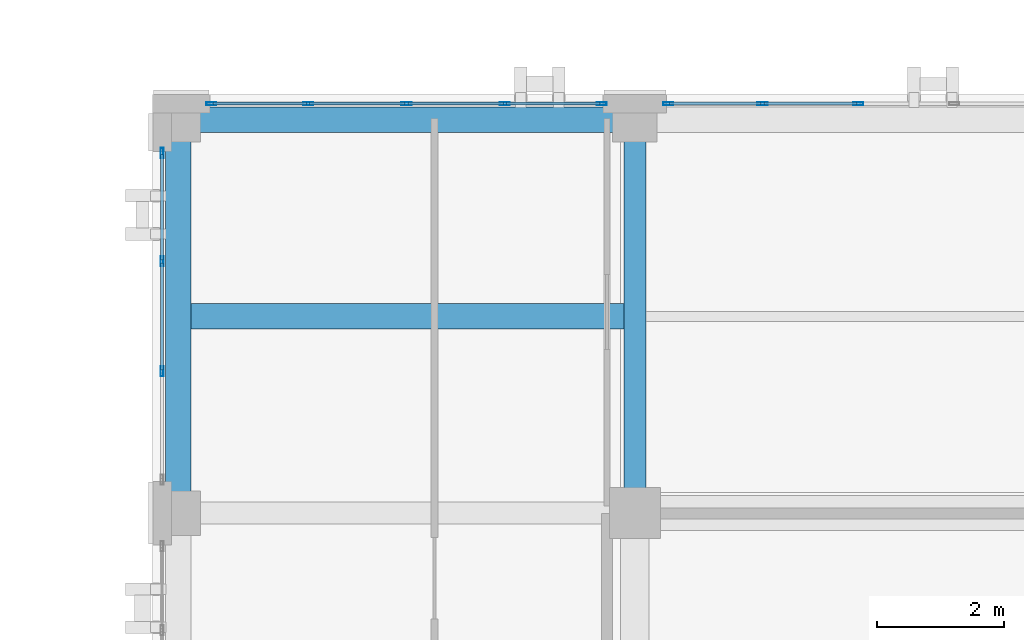
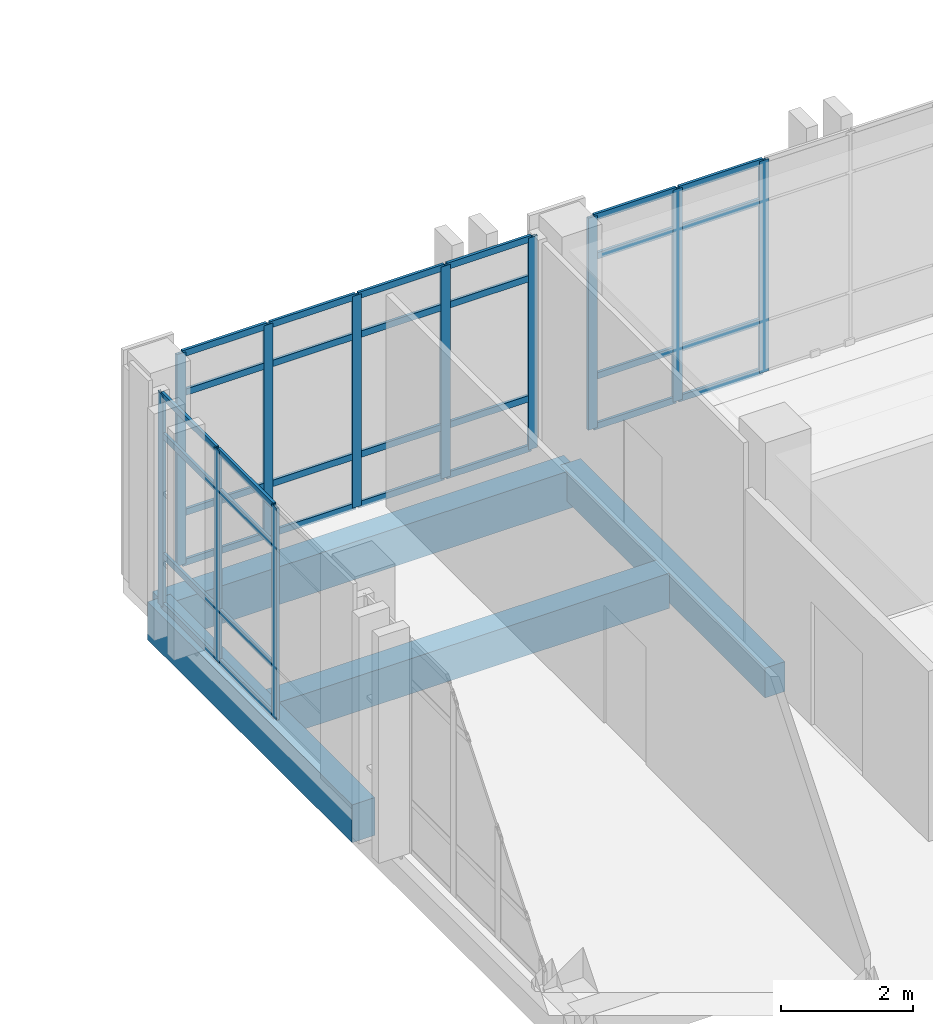
# One storey, part 101 of 165: 43 members, 4 beams, 3 elements without a shape of their own.
"""IFC4 building model written with IfcOpenShell, lengths in metres."""

from ifc_helpers import new_model, si_unit, direction, frame, origin, origin_2d, place, context, subcontext, project, spatial, rectangle, hollow_rectangle, extrude, material, layer, layer_set, material_profile, profile_set, type_object, element, aggregate, save


model = new_model("IFC4")

# Units and contexts
model_context = context("Model", 3, precision=1e-05, world=origin(), true_north=direction((0.0, 1.0)))
body_context = subcontext(model_context, "Body", "Model", "MODEL_VIEW")
ifc_project = project(units=[si_unit("LENGTHUNIT", "METRE"), si_unit("AREAUNIT", "SQUARE_METRE"), si_unit("VOLUMEUNIT", "CUBIC_METRE"), si_unit("PLANEANGLEUNIT", "RADIAN"), si_unit("MASSUNIT", "GRAM", prefix="KILO")], contexts=[model_context])

# Site, building, storey
site_placement = place(None, origin())
site = spatial("IfcSite", under=ifc_project, at=site_placement, CompositionType="ELEMENT")
building_placement = place(site_placement, origin())
building = spatial("IfcBuilding", under=site, at=building_placement, Name="Qalavern Law Courts", CompositionType="ELEMENT")
storey_placement = place(building_placement, frame((0.0, 0.0, 14.39990234375)))
storey = spatial("IfcBuildingStorey", under=building, at=storey_placement, Name="L03", CompositionType="ELEMENT", Elevation=14.39990234375)

# Curtain wall, members
ifc_material_1 = material(Name="Anodised aluminium and insulated glazing", Category="aluminium")
ifc_layer = layer(ifc_material_1, 0.172119140625)
ifc_layer_set = layer_set([ifc_layer], Name="Anodised aluminium and insulated glazing")
curtain_wall_type = type_object("IfcCurtainWallType", Name="ENV-CW-COURT", PredefinedType="USERDEFINED", material=ifc_layer_set)
curtain_wall_1_placement = place(storey_placement, origin())
curtain_wall_1 = element("IfcCurtainWall", 1, at=curtain_wall_1_placement, inside=storey, type_object=curtain_wall_type, Name="V4 unitised curtain wall L03 north 1", ObjectType="UNITISED CURTAIN WALL", PredefinedType="USERDEFINED")
ifc_material_2 = material(Name="Anodised aluminium", Category="aluminium")
ifc_material_profile_1 = material_profile(ifc_material_2, hollow_rectangle(XDim=0.048095703125, YDim=0.159912109375, WallThickness=0.00390625, at=origin_2d()), Name="ALU MULLION 48x160")
ifc_profile_set_1 = profile_set([ifc_material_profile_1], Name="Anodised aluminium")
member_type_1 = type_object("IfcMemberType", Name="ENV-CWM-48x160", PredefinedType="MULLION", material=ifc_profile_set_1)
member_1_placement = place(storey_placement, frame((95.322265625, 85.652587890625, 0.0), z_axis=(0.0, 0.0, 1.0), x_axis=(0.0, -1.0, 0.0)))
member_1 = element("IfcMember", 2, at=member_1_placement, type_object=member_type_1, Name="CW-03 mullion 8", PredefinedType="MULLION", context=body_context, shape_type="SweptSolid", body=[
    extrude(hollow_rectangle(XDim=0.048095703125, YDim=0.159912109375, WallThickness=0.00390625, at=origin_2d()), origin(), (0.0, 0.0, 1.0), 3.920166015625),
])
member_2_placement = place(storey_placement, frame((93.81103515625, 85.652587890625, 0.0), z_axis=(0.0, 0.0, 1.0), x_axis=(0.0, -1.0, 0.0)))
member_2 = element("IfcMember", 3, at=member_2_placement, type_object=member_type_1, Name="CW-03 mullion 9", PredefinedType="MULLION", context=body_context, shape_type="SweptSolid", body=[
    extrude(hollow_rectangle(XDim=0.048095703125, YDim=0.159912109375, WallThickness=0.00390625, at=origin_2d()), origin(), (0.0, 0.0, 1.0), 3.920166015625),
])
member_3_placement = place(storey_placement, frame((92.323974609375, 85.652587890625, 0.0), z_axis=(0.0, 0.0, 1.0), x_axis=(0.0, -1.0, 0.0)))
member_3 = element("IfcMember", 4, at=member_3_placement, type_object=member_type_1, Name="CW-03 mullion 10", PredefinedType="MULLION", context=body_context, shape_type="SweptSolid", body=[
    extrude(hollow_rectangle(XDim=0.048095703125, YDim=0.159912109375, WallThickness=0.00390625, at=origin_2d()), origin(), (0.0, 0.0, 1.0), 3.920166015625),
])

curtain_wall_2_placement = place(storey_placement, origin())
curtain_wall_2 = element("IfcCurtainWall", 5, at=curtain_wall_2_placement, inside=storey, type_object=curtain_wall_type, Name="V4 unitised curtain wall L03 north 2", ObjectType="UNITISED CURTAIN WALL", PredefinedType="USERDEFINED")
member_4_placement = place(storey_placement, frame((91.27587890625, 85.652587890625, 0.0), z_axis=(0.0, 0.0, 1.0), x_axis=(0.0, -1.0, 0.0)))
member_4 = element("IfcMember", 6, at=member_4_placement, type_object=member_type_1, Name="CW-03 mullion 1", PredefinedType="MULLION", context=body_context, shape_type="SweptSolid", body=[
    extrude(hollow_rectangle(XDim=0.048095703125, YDim=0.159912109375, WallThickness=0.00390625, at=origin_2d()), origin(), (0.0, 0.0, 1.0), 3.920166015625),
])
member_5_placement = place(storey_placement, frame((89.75, 85.652587890625, 0.0), z_axis=(0.0, 0.0, 1.0), x_axis=(0.0, -1.0, 0.0)))
member_5 = element("IfcMember", 7, at=member_5_placement, type_object=member_type_1, Name="CW-03 mullion 2", PredefinedType="MULLION", context=body_context, shape_type="SweptSolid", body=[
    extrude(hollow_rectangle(XDim=0.048095703125, YDim=0.159912109375, WallThickness=0.00390625, at=origin_2d()), origin(), (0.0, 0.0, 1.0), 3.920166015625),
])
member_6_placement = place(storey_placement, frame((88.199951171875, 85.652587890625, 0.0), z_axis=(0.0, 0.0, 1.0), x_axis=(0.0, -1.0, 0.0)))
member_6 = element("IfcMember", 8, at=member_6_placement, type_object=member_type_1, Name="CW-03 mullion 3", PredefinedType="MULLION", context=body_context, shape_type="SweptSolid", body=[
    extrude(hollow_rectangle(XDim=0.048095703125, YDim=0.159912109375, WallThickness=0.00390625, at=origin_2d()), origin(), (0.0, 0.0, 1.0), 3.920166015625),
])
member_7_placement = place(storey_placement, frame((86.64990234375, 85.652587890625, 0.0), z_axis=(0.0, 0.0, 1.0), x_axis=(0.0, -1.0, 0.0)))
member_7 = element("IfcMember", 9, at=member_7_placement, type_object=member_type_1, Name="CW-03 mullion 4", PredefinedType="MULLION", context=body_context, shape_type="SweptSolid", body=[
    extrude(hollow_rectangle(XDim=0.048095703125, YDim=0.159912109375, WallThickness=0.00390625, at=origin_2d()), origin(), (0.0, 0.0, 1.0), 3.920166015625),
])
member_8_placement = place(storey_placement, frame((85.1240234375, 85.652587890625, 0.0), z_axis=(0.0, 0.0, 1.0), x_axis=(0.0, -1.0, 0.0)))
member_8 = element("IfcMember", 10, at=member_8_placement, type_object=member_type_1, Name="CW-03 mullion 5", PredefinedType="MULLION", context=body_context, shape_type="SweptSolid", body=[
    extrude(hollow_rectangle(XDim=0.048095703125, YDim=0.159912109375, WallThickness=0.00390625, at=origin_2d()), origin(), (0.0, 0.0, 1.0), 3.920166015625),
])

curtain_wall_3_placement = place(storey_placement, origin())
curtain_wall_3 = element("IfcCurtainWall", 11, at=curtain_wall_3_placement, inside=storey, type_object=curtain_wall_type, Name="V4 unitised curtain wall L03 west 1", ObjectType="UNITISED CURTAIN WALL", PredefinedType="USERDEFINED")
member_9_placement = place(storey_placement, frame((84.347412109375, 84.8759765625, 0.0), z_axis=(0.0, 0.0, 1.0), x_axis=(1.0, 0.0, 0.0)))
member_9 = element("IfcMember", 12, at=member_9_placement, type_object=member_type_1, Name="CW-03 mullion 1", PredefinedType="MULLION", context=body_context, shape_type="SweptSolid", body=[
    extrude(hollow_rectangle(XDim=0.048095703125, YDim=0.159912109375, WallThickness=0.00390625, at=origin_2d()), origin(), (0.0, 0.0, 1.0), 3.920166015625),
])
member_10_placement = place(storey_placement, frame((84.347412109375, 83.166748046875, 0.0), z_axis=(0.0, 0.0, 1.0), x_axis=(1.0, 0.0, 0.0)))
member_10 = element("IfcMember", 13, at=member_10_placement, type_object=member_type_1, Name="CW-03 mullion 2", PredefinedType="MULLION", context=body_context, shape_type="SweptSolid", body=[
    extrude(hollow_rectangle(XDim=0.048095703125, YDim=0.159912109375, WallThickness=0.00390625, at=origin_2d()), origin(), (0.0, 0.0, 1.0), 3.920166015625),
])
member_11_placement = place(storey_placement, frame((84.347412109375, 81.433349609375, 0.0), z_axis=(0.0, 0.0, 1.0), x_axis=(1.0, 0.0, 0.0)))
member_11 = element("IfcMember", 14, at=member_11_placement, type_object=member_type_1, Name="CW-03 mullion 3", PredefinedType="MULLION", context=body_context, shape_type="SweptSolid", body=[
    extrude(hollow_rectangle(XDim=0.048095703125, YDim=0.159912109375, WallThickness=0.00390625, at=origin_2d()), origin(), (0.0, 0.0, 1.0), 3.920166015625),
])

# Member
ifc_material_profile_2 = material_profile(ifc_material_2, hollow_rectangle(XDim=0.048095703125, YDim=0.1201171875, WallThickness=0.00390625, at=origin_2d()), Name="ALU TRANSOM 48x120")
ifc_profile_set_2 = profile_set([ifc_material_profile_2], Name="Anodised aluminium")
member_type_2 = type_object("IfcMemberType", Name="ENV-CWT-48x120", PredefinedType="USERDEFINED", material=ifc_profile_set_2)
member_12_placement = place(storey_placement, frame((95.29833984375, 85.652587890625, 0.024169921875), z_axis=(-1.0, 0.0, 0.0), x_axis=(0.0, -1.0, 0.0)))
member_12 = element("IfcMember", 15, at=member_12_placement, type_object=member_type_2, Name="CW-03 transom 8.1", ObjectType="TRANSOM", PredefinedType="USERDEFINED", context=body_context, shape_type="SweptSolid", body=[
    extrude(hollow_rectangle(XDim=0.048095703125, YDim=0.1201171875, WallThickness=0.00390625, at=origin_2d()), origin(), (0.0, 0.0, 1.0), 1.463134765625),
])

member_13_placement = place(storey_placement, frame((95.29833984375, 85.652587890625, 0.9501953125), z_axis=(-1.0, 0.0, 0.0), x_axis=(0.0, -1.0, 0.0)))
member_13 = element("IfcMember", 16, at=member_13_placement, type_object=member_type_2, Name="CW-03 transom 8.2", ObjectType="TRANSOM", PredefinedType="USERDEFINED", context=body_context, shape_type="SweptSolid", body=[
    extrude(hollow_rectangle(XDim=0.048095703125, YDim=0.1201171875, WallThickness=0.00390625, at=origin_2d()), origin(), (0.0, 0.0, 1.0), 1.463134765625),
])

member_14_placement = place(storey_placement, frame((95.29833984375, 85.652587890625, 3.170166015625), z_axis=(-1.0, 0.0, 0.0), x_axis=(0.0, -1.0, 0.0)))
member_14 = element("IfcMember", 17, at=member_14_placement, type_object=member_type_2, Name="CW-03 transom 8.3", ObjectType="TRANSOM", PredefinedType="USERDEFINED", context=body_context, shape_type="SweptSolid", body=[
    extrude(hollow_rectangle(XDim=0.048095703125, YDim=0.1201171875, WallThickness=0.00390625, at=origin_2d()), origin(), (0.0, 0.0, 1.0), 1.463134765625),
])

member_15_placement = place(storey_placement, frame((95.29833984375, 85.652587890625, 3.89599609375), z_axis=(-1.0, 0.0, 0.0), x_axis=(0.0, -1.0, 0.0)))
member_15 = element("IfcMember", 18, at=member_15_placement, type_object=member_type_2, Name="CW-03 transom 8.4", ObjectType="TRANSOM", PredefinedType="USERDEFINED", context=body_context, shape_type="SweptSolid", body=[
    extrude(hollow_rectangle(XDim=0.048095703125, YDim=0.1201171875, WallThickness=0.00390625, at=origin_2d()), origin(), (0.0, 0.0, 1.0), 1.463134765625),
])

member_16_placement = place(storey_placement, frame((93.787109375, 85.652587890625, 0.024169921875), z_axis=(-1.0, 0.0, 0.0), x_axis=(0.0, -1.0, 0.0)))
member_16 = element("IfcMember", 19, at=member_16_placement, type_object=member_type_2, Name="CW-03 transom 9.1", ObjectType="TRANSOM", PredefinedType="USERDEFINED", context=body_context, shape_type="SweptSolid", body=[
    extrude(hollow_rectangle(XDim=0.048095703125, YDim=0.1201171875, WallThickness=0.00390625, at=origin_2d()), origin(), (0.0, 0.0, 1.0), 1.439208984375),
])

member_17_placement = place(storey_placement, frame((93.787109375, 85.652587890625, 0.9501953125), z_axis=(-1.0, 0.0, 0.0), x_axis=(0.0, -1.0, 0.0)))
member_17 = element("IfcMember", 20, at=member_17_placement, type_object=member_type_2, Name="CW-03 transom 9.2", ObjectType="TRANSOM", PredefinedType="USERDEFINED", context=body_context, shape_type="SweptSolid", body=[
    extrude(hollow_rectangle(XDim=0.048095703125, YDim=0.1201171875, WallThickness=0.00390625, at=origin_2d()), origin(), (0.0, 0.0, 1.0), 1.439208984375),
])

member_18_placement = place(storey_placement, frame((93.787109375, 85.652587890625, 3.170166015625), z_axis=(-1.0, 0.0, 0.0), x_axis=(0.0, -1.0, 0.0)))
member_18 = element("IfcMember", 21, at=member_18_placement, type_object=member_type_2, Name="CW-03 transom 9.3", ObjectType="TRANSOM", PredefinedType="USERDEFINED", context=body_context, shape_type="SweptSolid", body=[
    extrude(hollow_rectangle(XDim=0.048095703125, YDim=0.1201171875, WallThickness=0.00390625, at=origin_2d()), origin(), (0.0, 0.0, 1.0), 1.439208984375),
])

member_19_placement = place(storey_placement, frame((93.787109375, 85.652587890625, 3.89599609375), z_axis=(-1.0, 0.0, 0.0), x_axis=(0.0, -1.0, 0.0)))
member_19 = element("IfcMember", 22, at=member_19_placement, type_object=member_type_2, Name="CW-03 transom 9.4", ObjectType="TRANSOM", PredefinedType="USERDEFINED", context=body_context, shape_type="SweptSolid", body=[
    extrude(hollow_rectangle(XDim=0.048095703125, YDim=0.1201171875, WallThickness=0.00390625, at=origin_2d()), origin(), (0.0, 0.0, 1.0), 1.439208984375),
])

aggregate(curtain_wall_1, [member_1, member_2, member_3, member_12, member_13, member_14, member_15, member_16, member_17, member_18, member_19])

member_20_placement = place(storey_placement, frame((91.251953125, 85.652587890625, 0.024169921875), z_axis=(-1.0, 0.0, 0.0), x_axis=(0.0, -1.0, 0.0)))
member_20 = element("IfcMember", 23, at=member_20_placement, type_object=member_type_2, Name="CW-03 transom 1.1", ObjectType="TRANSOM", PredefinedType="USERDEFINED", context=body_context, shape_type="SweptSolid", body=[
    extrude(hollow_rectangle(XDim=0.048095703125, YDim=0.1201171875, WallThickness=0.00390625, at=origin_2d()), origin(), (0.0, 0.0, 1.0), 1.47802734375),
])

member_21_placement = place(storey_placement, frame((91.251953125, 85.652587890625, 0.9501953125), z_axis=(-1.0, 0.0, 0.0), x_axis=(0.0, -1.0, 0.0)))
member_21 = element("IfcMember", 24, at=member_21_placement, type_object=member_type_2, Name="CW-03 transom 1.2", ObjectType="TRANSOM", PredefinedType="USERDEFINED", context=body_context, shape_type="SweptSolid", body=[
    extrude(hollow_rectangle(XDim=0.048095703125, YDim=0.1201171875, WallThickness=0.00390625, at=origin_2d()), origin(), (0.0, 0.0, 1.0), 1.47802734375),
])

member_22_placement = place(storey_placement, frame((91.251953125, 85.652587890625, 3.170166015625), z_axis=(-1.0, 0.0, 0.0), x_axis=(0.0, -1.0, 0.0)))
member_22 = element("IfcMember", 25, at=member_22_placement, type_object=member_type_2, Name="CW-03 transom 1.3", ObjectType="TRANSOM", PredefinedType="USERDEFINED", context=body_context, shape_type="SweptSolid", body=[
    extrude(hollow_rectangle(XDim=0.048095703125, YDim=0.1201171875, WallThickness=0.00390625, at=origin_2d()), origin(), (0.0, 0.0, 1.0), 1.47802734375),
])

member_23_placement = place(storey_placement, frame((91.251953125, 85.652587890625, 3.89599609375), z_axis=(-1.0, 0.0, 0.0), x_axis=(0.0, -1.0, 0.0)))
member_23 = element("IfcMember", 26, at=member_23_placement, type_object=member_type_2, Name="CW-03 transom 1.4", ObjectType="TRANSOM", PredefinedType="USERDEFINED", context=body_context, shape_type="SweptSolid", body=[
    extrude(hollow_rectangle(XDim=0.048095703125, YDim=0.1201171875, WallThickness=0.00390625, at=origin_2d()), origin(), (0.0, 0.0, 1.0), 1.47802734375),
])

member_24_placement = place(storey_placement, frame((89.72607421875, 85.652587890625, 0.024169921875), z_axis=(-1.0, 0.0, 0.0), x_axis=(0.0, -1.0, 0.0)))
member_24 = element("IfcMember", 27, at=member_24_placement, type_object=member_type_2, Name="CW-03 transom 2.1", ObjectType="TRANSOM", PredefinedType="USERDEFINED", context=body_context, shape_type="SweptSolid", body=[
    extrude(hollow_rectangle(XDim=0.048095703125, YDim=0.1201171875, WallThickness=0.00390625, at=origin_2d()), origin(), (0.0, 0.0, 1.0), 1.501953125),
])

member_25_placement = place(storey_placement, frame((89.72607421875, 85.652587890625, 0.9501953125), z_axis=(-1.0, 0.0, 0.0), x_axis=(0.0, -1.0, 0.0)))
member_25 = element("IfcMember", 28, at=member_25_placement, type_object=member_type_2, Name="CW-03 transom 2.2", ObjectType="TRANSOM", PredefinedType="USERDEFINED", context=body_context, shape_type="SweptSolid", body=[
    extrude(hollow_rectangle(XDim=0.048095703125, YDim=0.1201171875, WallThickness=0.00390625, at=origin_2d()), origin(), (0.0, 0.0, 1.0), 1.501953125),
])

member_26_placement = place(storey_placement, frame((89.72607421875, 85.652587890625, 3.170166015625), z_axis=(-1.0, 0.0, 0.0), x_axis=(0.0, -1.0, 0.0)))
member_26 = element("IfcMember", 29, at=member_26_placement, type_object=member_type_2, Name="CW-03 transom 2.3", ObjectType="TRANSOM", PredefinedType="USERDEFINED", context=body_context, shape_type="SweptSolid", body=[
    extrude(hollow_rectangle(XDim=0.048095703125, YDim=0.1201171875, WallThickness=0.00390625, at=origin_2d()), origin(), (0.0, 0.0, 1.0), 1.501953125),
])

member_27_placement = place(storey_placement, frame((89.72607421875, 85.652587890625, 3.89599609375), z_axis=(-1.0, 0.0, 0.0), x_axis=(0.0, -1.0, 0.0)))
member_27 = element("IfcMember", 30, at=member_27_placement, type_object=member_type_2, Name="CW-03 transom 2.4", ObjectType="TRANSOM", PredefinedType="USERDEFINED", context=body_context, shape_type="SweptSolid", body=[
    extrude(hollow_rectangle(XDim=0.048095703125, YDim=0.1201171875, WallThickness=0.00390625, at=origin_2d()), origin(), (0.0, 0.0, 1.0), 1.501953125),
])

member_28_placement = place(storey_placement, frame((88.176025390625, 85.652587890625, 0.024169921875), z_axis=(-1.0, 0.0, 0.0), x_axis=(0.0, -1.0, 0.0)))
member_28 = element("IfcMember", 31, at=member_28_placement, type_object=member_type_2, Name="CW-03 transom 3.1", ObjectType="TRANSOM", PredefinedType="USERDEFINED", context=body_context, shape_type="SweptSolid", body=[
    extrude(hollow_rectangle(XDim=0.048095703125, YDim=0.1201171875, WallThickness=0.00390625, at=origin_2d()), origin(), (0.0, 0.0, 1.0), 1.501953125),
])

member_29_placement = place(storey_placement, frame((88.176025390625, 85.652587890625, 0.9501953125), z_axis=(-1.0, 0.0, 0.0), x_axis=(0.0, -1.0, 0.0)))
member_29 = element("IfcMember", 32, at=member_29_placement, type_object=member_type_2, Name="CW-03 transom 3.2", ObjectType="TRANSOM", PredefinedType="USERDEFINED", context=body_context, shape_type="SweptSolid", body=[
    extrude(hollow_rectangle(XDim=0.048095703125, YDim=0.1201171875, WallThickness=0.00390625, at=origin_2d()), origin(), (0.0, 0.0, 1.0), 1.501953125),
])

member_30_placement = place(storey_placement, frame((88.176025390625, 85.652587890625, 3.170166015625), z_axis=(-1.0, 0.0, 0.0), x_axis=(0.0, -1.0, 0.0)))
member_30 = element("IfcMember", 33, at=member_30_placement, type_object=member_type_2, Name="CW-03 transom 3.3", ObjectType="TRANSOM", PredefinedType="USERDEFINED", context=body_context, shape_type="SweptSolid", body=[
    extrude(hollow_rectangle(XDim=0.048095703125, YDim=0.1201171875, WallThickness=0.00390625, at=origin_2d()), origin(), (0.0, 0.0, 1.0), 1.501953125),
])

member_31_placement = place(storey_placement, frame((88.176025390625, 85.652587890625, 3.89599609375), z_axis=(-1.0, 0.0, 0.0), x_axis=(0.0, -1.0, 0.0)))
member_31 = element("IfcMember", 34, at=member_31_placement, type_object=member_type_2, Name="CW-03 transom 3.4", ObjectType="TRANSOM", PredefinedType="USERDEFINED", context=body_context, shape_type="SweptSolid", body=[
    extrude(hollow_rectangle(XDim=0.048095703125, YDim=0.1201171875, WallThickness=0.00390625, at=origin_2d()), origin(), (0.0, 0.0, 1.0), 1.501953125),
])

member_32_placement = place(storey_placement, frame((86.6259765625, 85.652587890625, 0.024169921875), z_axis=(-1.0, 0.0, 0.0), x_axis=(0.0, -1.0, 0.0)))
member_32 = element("IfcMember", 35, at=member_32_placement, type_object=member_type_2, Name="CW-03 transom 4.1", ObjectType="TRANSOM", PredefinedType="USERDEFINED", context=body_context, shape_type="SweptSolid", body=[
    extrude(hollow_rectangle(XDim=0.048095703125, YDim=0.1201171875, WallThickness=0.00390625, at=origin_2d()), origin(), (0.0, 0.0, 1.0), 1.47802734375),
])

member_33_placement = place(storey_placement, frame((86.6259765625, 85.652587890625, 0.9501953125), z_axis=(-1.0, 0.0, 0.0), x_axis=(0.0, -1.0, 0.0)))
member_33 = element("IfcMember", 36, at=member_33_placement, type_object=member_type_2, Name="CW-03 transom 4.2", ObjectType="TRANSOM", PredefinedType="USERDEFINED", context=body_context, shape_type="SweptSolid", body=[
    extrude(hollow_rectangle(XDim=0.048095703125, YDim=0.1201171875, WallThickness=0.00390625, at=origin_2d()), origin(), (0.0, 0.0, 1.0), 1.47802734375),
])

member_34_placement = place(storey_placement, frame((86.6259765625, 85.652587890625, 3.170166015625), z_axis=(-1.0, 0.0, 0.0), x_axis=(0.0, -1.0, 0.0)))
member_34 = element("IfcMember", 37, at=member_34_placement, type_object=member_type_2, Name="CW-03 transom 4.3", ObjectType="TRANSOM", PredefinedType="USERDEFINED", context=body_context, shape_type="SweptSolid", body=[
    extrude(hollow_rectangle(XDim=0.048095703125, YDim=0.1201171875, WallThickness=0.00390625, at=origin_2d()), origin(), (0.0, 0.0, 1.0), 1.47802734375),
])

member_35_placement = place(storey_placement, frame((86.6259765625, 85.652587890625, 3.89599609375), z_axis=(-1.0, 0.0, 0.0), x_axis=(0.0, -1.0, 0.0)))
member_35 = element("IfcMember", 38, at=member_35_placement, type_object=member_type_2, Name="CW-03 transom 4.4", ObjectType="TRANSOM", PredefinedType="USERDEFINED", context=body_context, shape_type="SweptSolid", body=[
    extrude(hollow_rectangle(XDim=0.048095703125, YDim=0.1201171875, WallThickness=0.00390625, at=origin_2d()), origin(), (0.0, 0.0, 1.0), 1.47802734375),
])

aggregate(curtain_wall_2, [member_4, member_5, member_6, member_7, member_8, member_20, member_21, member_22, member_23, member_24, member_25, member_26, member_27, member_28, member_29, member_30, member_31, member_32, member_33, member_34, member_35])

member_36_placement = place(storey_placement, frame((84.347412109375, 84.85205078125, 0.024169921875), z_axis=(0.0, -1.0, 0.0), x_axis=(1.0, 0.0, 0.0)))
member_36 = element("IfcMember", 39, at=member_36_placement, type_object=member_type_2, Name="CW-03 transom 1.1", ObjectType="TRANSOM", PredefinedType="USERDEFINED", context=body_context, shape_type="SweptSolid", body=[
    extrude(hollow_rectangle(XDim=0.048095703125, YDim=0.1201171875, WallThickness=0.00390625, at=origin_2d()), origin(), (0.0, 0.0, 1.0), 1.661376953125),
])

member_37_placement = place(storey_placement, frame((84.347412109375, 84.85205078125, 0.9501953125), z_axis=(0.0, -1.0, 0.0), x_axis=(1.0, 0.0, 0.0)))
member_37 = element("IfcMember", 40, at=member_37_placement, type_object=member_type_2, Name="CW-03 transom 1.2", ObjectType="TRANSOM", PredefinedType="USERDEFINED", context=body_context, shape_type="SweptSolid", body=[
    extrude(hollow_rectangle(XDim=0.048095703125, YDim=0.1201171875, WallThickness=0.00390625, at=origin_2d()), origin(), (0.0, 0.0, 1.0), 1.661376953125),
])

member_38_placement = place(storey_placement, frame((84.347412109375, 84.85205078125, 3.170166015625), z_axis=(0.0, -1.0, 0.0), x_axis=(1.0, 0.0, 0.0)))
member_38 = element("IfcMember", 41, at=member_38_placement, type_object=member_type_2, Name="CW-03 transom 1.3", ObjectType="TRANSOM", PredefinedType="USERDEFINED", context=body_context, shape_type="SweptSolid", body=[
    extrude(hollow_rectangle(XDim=0.048095703125, YDim=0.1201171875, WallThickness=0.00390625, at=origin_2d()), origin(), (0.0, 0.0, 1.0), 1.661376953125),
])

member_39_placement = place(storey_placement, frame((84.347412109375, 84.85205078125, 3.89599609375), z_axis=(0.0, -1.0, 0.0), x_axis=(1.0, 0.0, 0.0)))
member_39 = element("IfcMember", 42, at=member_39_placement, type_object=member_type_2, Name="CW-03 transom 1.4", ObjectType="TRANSOM", PredefinedType="USERDEFINED", context=body_context, shape_type="SweptSolid", body=[
    extrude(hollow_rectangle(XDim=0.048095703125, YDim=0.1201171875, WallThickness=0.00390625, at=origin_2d()), origin(), (0.0, 0.0, 1.0), 1.661376953125),
])

member_40_placement = place(storey_placement, frame((84.347412109375, 83.142578125, 0.024169921875), z_axis=(0.0, -1.0, 0.0), x_axis=(1.0, 0.0, 0.0)))
member_40 = element("IfcMember", 43, at=member_40_placement, type_object=member_type_2, Name="CW-03 transom 2.1", ObjectType="TRANSOM", PredefinedType="USERDEFINED", context=body_context, shape_type="SweptSolid", body=[
    extrude(hollow_rectangle(XDim=0.048095703125, YDim=0.1201171875, WallThickness=0.00390625, at=origin_2d()), origin(), (0.0, 0.0, 1.0), 1.685302734375),
])

member_41_placement = place(storey_placement, frame((84.347412109375, 83.142578125, 0.9501953125), z_axis=(0.0, -1.0, 0.0), x_axis=(1.0, 0.0, 0.0)))
member_41 = element("IfcMember", 44, at=member_41_placement, type_object=member_type_2, Name="CW-03 transom 2.2", ObjectType="TRANSOM", PredefinedType="USERDEFINED", context=body_context, shape_type="SweptSolid", body=[
    extrude(hollow_rectangle(XDim=0.048095703125, YDim=0.1201171875, WallThickness=0.00390625, at=origin_2d()), origin(), (0.0, 0.0, 1.0), 1.685302734375),
])

member_42_placement = place(storey_placement, frame((84.347412109375, 83.142578125, 3.170166015625), z_axis=(0.0, -1.0, 0.0), x_axis=(1.0, 0.0, 0.0)))
member_42 = element("IfcMember", 45, at=member_42_placement, type_object=member_type_2, Name="CW-03 transom 2.3", ObjectType="TRANSOM", PredefinedType="USERDEFINED", context=body_context, shape_type="SweptSolid", body=[
    extrude(hollow_rectangle(XDim=0.048095703125, YDim=0.1201171875, WallThickness=0.00390625, at=origin_2d()), origin(), (0.0, 0.0, 1.0), 1.685302734375),
])

member_43_placement = place(storey_placement, frame((84.347412109375, 83.142578125, 3.89599609375), z_axis=(0.0, -1.0, 0.0), x_axis=(1.0, 0.0, 0.0)))
member_43 = element("IfcMember", 46, at=member_43_placement, type_object=member_type_2, Name="CW-03 transom 2.4", ObjectType="TRANSOM", PredefinedType="USERDEFINED", context=body_context, shape_type="SweptSolid", body=[
    extrude(hollow_rectangle(XDim=0.048095703125, YDim=0.1201171875, WallThickness=0.00390625, at=origin_2d()), origin(), (0.0, 0.0, 1.0), 1.685302734375),
])

aggregate(curtain_wall_3, [member_9, member_10, member_11, member_36, member_37, member_38, member_39, member_40, member_41, member_42, member_43])

# Beams
ifc_material_3 = material(Name="Concrete C35/45", Category="concrete")
ifc_material_profile_3 = material_profile(ifc_material_3, rectangle(XDim=0.35009765625, YDim=0.550048828125, at=origin_2d()), Name="RC 350x550")
ifc_profile_set_3 = profile_set([ifc_material_profile_3], Name="Concrete C35/45")
beam_type_1 = type_object("IfcBeamType", Name="STR-BM-RC350x550", PredefinedType="BEAM", material=ifc_profile_set_3)
beam_1_placement = place(storey_placement, frame((91.800048828125, 79.199951171875, -0.559814453125), z_axis=(0.0, 1.0, 0.0), x_axis=(-1.0, 0.0, 0.0)))
element("IfcBeam", 47, at=beam_1_placement, inside=storey, type_object=beam_type_1, Name="V4 Y-beam 2-5 L03", PredefinedType="BEAM", context=body_context, shape_type="SweptSolid", body=[
    extrude(rectangle(XDim=0.35009765625, YDim=0.550048828125, at=origin_2d()), origin(), (0.0, 0.0, 1.0), 6.199951171875),
])
ifc_material_profile_4 = material_profile(ifc_material_3, rectangle(XDim=0.39990234375, YDim=0.64990234375, at=origin_2d()), Name="RC 400x650")
ifc_profile_set_4 = profile_set([ifc_material_profile_4], Name="Concrete C35/45")
beam_type_2 = type_object("IfcBeamType", Name="STR-JST-RC400x650", PredefinedType="JOIST", material=ifc_profile_set_4)
beam_2_placement = place(storey_placement, frame((84.798095703125, 82.300048828125, -0.60986328125), z_axis=(1.0, 0.0, 0.0), x_axis=(0.0, 1.0, 0.0)))
element("IfcBeam", 48, at=beam_2_placement, inside=storey, type_object=beam_type_2, Name="V4 secondary joist 1.6.1 L03", PredefinedType="JOIST", context=body_context, shape_type="SweptSolid", body=[
    extrude(rectangle(XDim=0.39990234375, YDim=0.64990234375, at=origin_2d()), origin(), (0.0, 0.0, 1.0), 6.828857421875),
])
ifc_material_4 = material(Name="Concrete C40/50", Category="concrete")
ifc_material_profile_5 = material_profile(ifc_material_4, rectangle(XDim=0.39990234375, YDim=0.699951171875, at=origin_2d()), Name="RC 400x700")
ifc_profile_set_5 = profile_set([ifc_material_profile_5], Name="Concrete C40/50")
beam_type_3 = type_object("IfcBeamType", Name="STR-SP-RC400x700", PredefinedType="SPANDREL", material=ifc_profile_set_5)
beam_3_placement = place(storey_placement, frame((84.60009765625, 85.39990234375, -0.635009765625), z_axis=(1.0, 0.0, 0.0), x_axis=(0.0, 1.0, 0.0)))
element("IfcBeam", 49, at=beam_3_placement, inside=storey, type_object=beam_type_3, Name="V4 X-beam 7-1 L03", PredefinedType="SPANDREL", context=body_context, shape_type="SweptSolid", body=[
    extrude(rectangle(XDim=0.39990234375, YDim=0.699951171875, at=origin_2d()), origin(), (0.0, 0.0, 1.0), 7.199951171875),
])
beam_4_placement = place(storey_placement, frame((84.60009765625, 79.199951171875, -0.635009765625), z_axis=(0.0, 1.0, 0.0), x_axis=(-1.0, 0.0, 0.0)))
element("IfcBeam", 50, at=beam_4_placement, inside=storey, type_object=beam_type_3, Name="V4 Y-beam 1-6 L03", PredefinedType="SPANDREL", context=body_context, shape_type="SweptSolid", body=[
    extrude(rectangle(XDim=0.39990234375, YDim=0.699951171875, at=origin_2d()), origin(), (0.0, 0.0, 1.0), 6.199951171875),
])

save(model, "model.ifc")
